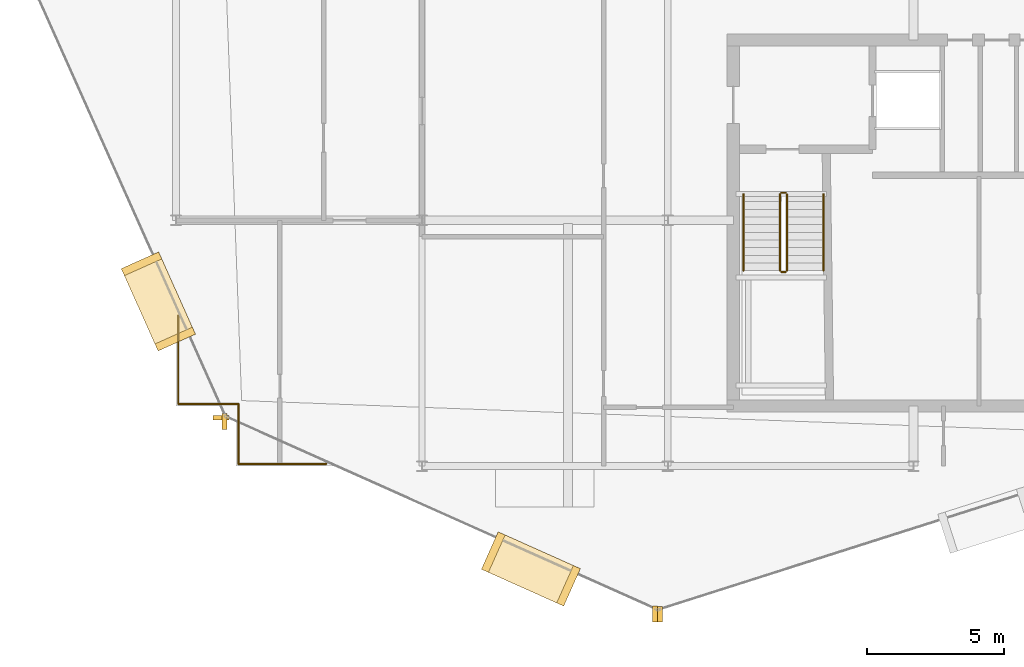
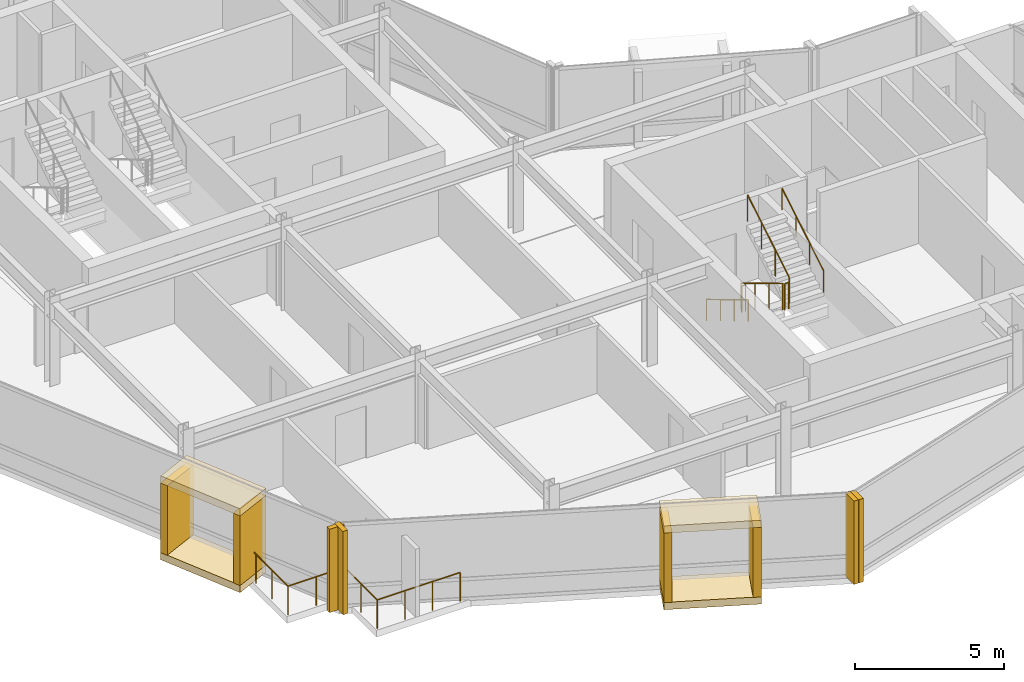
# One storey, part 16 of 19: 12 coverings, 10 railings.
"""IFC4 building model written with IfcOpenShell, lengths in metres."""

from ifc_helpers import new_model, si_unit, direction, frame, origin, origin_2d, place, context, subcontext, project, spatial, rectangle, circle, extrude, material, layer, layer_set, type_object, element, save


model = new_model("IFC4")

# Units and contexts
model_context = context("Model", 3, precision=1e-05, world=origin(), true_north=direction((0.0, 1.0)))
body_context = subcontext(model_context, "Body", "Model", "MODEL_VIEW")
ifc_project = project(units=[si_unit("LENGTHUNIT", "METRE"), si_unit("AREAUNIT", "SQUARE_METRE"), si_unit("VOLUMEUNIT", "CUBIC_METRE"), si_unit("PLANEANGLEUNIT", "RADIAN"), si_unit("MASSUNIT", "GRAM", prefix="KILO")], contexts=[model_context])

# Site, building, storey
site_placement = place(None, origin())
site = spatial("IfcSite", under=ifc_project, at=site_placement, CompositionType="ELEMENT")
building_placement = place(site_placement, origin())
building = spatial("IfcBuilding", under=site, at=building_placement, Name="Solvaryn Broadcast Tower", CompositionType="ELEMENT")
storey_placement = place(building_placement, frame((0.0, 0.0, 274.10009765625)))
storey = spatial("IfcBuildingStorey", under=building, at=storey_placement, Name="L69", CompositionType="ELEMENT", Elevation=274.10009765625)

# Coverings
ifc_material_1 = material(Name="Glazed Architectural Terracotta Rainscreen Cladding", Category="masonry")
ifc_layer_1 = layer(ifc_material_1, 0.280029296875)
ifc_layer_set_1 = layer_set([ifc_layer_1], Name="CV-TC-CLAD")
covering_type_1 = type_object("IfcCoveringType", Name="CV-TC-CLAD", PredefinedType="CLADDING", material=ifc_layer_set_1)
for number, where, z_axis, x_axis, name in (
    (1, (8.35107421875, 15.030029296875, 3.1298828125), (0.0, 0.0, 1.0), (0.408489773781, -0.91276289622, 0.0), "L69 Projecting Stone Window Box Hood 2"),
    (2, (8.35107421875, 15.030029296875, -0.01025390625), (0.0, 0.0, 1.0), (0.408489773781, -0.91276289622, 0.0), "L69 Projecting Stone Window Box Sill 2"),
):
    element("IfcCovering", number, at=place(storey_placement, frame(where, z_axis=z_axis, x_axis=x_axis)), inside=storey, type_object=covering_type_1, Name=name, PredefinedType="CLADDING", context=body_context, shape_type="SweptSolid", body=[
        extrude(rectangle(XDim=3.300048828125, YDim=1.5, at=origin_2d()), origin(), (0.0, 0.0, 1.0), 0.300048828125),
    ])
for number, where, z_axis, x_axis, name in (
    (3, (7.734130859375, 16.408203125, 0.27978515625), (0.0, 0.0, 1.0), (0.408489773781, -0.91276289622, 0.0), "L69 Projecting Stone Window Box Cheek 2-1"),
    (4, (8.9677734375, 13.651611328125, 0.27978515625), (0.0, 0.0, 1.0), (0.408489773781, -0.91276289622, 0.0), "L69 Projecting Stone Window Box Cheek 2-2"),
):
    element("IfcCovering", number, at=place(storey_placement, frame(where, z_axis=z_axis, x_axis=x_axis)), inside=storey, type_object=covering_type_1, Name=name, PredefinedType="CLADDING", context=body_context, shape_type="SweptSolid", body=[
        extrude(rectangle(XDim=0.280029296875, YDim=1.5, at=origin_2d()), origin(), (0.0, 0.0, 1.0), 2.860107421875),
    ])
for number, where, z_axis, x_axis, name in (
    (5, (21.989990234375, 5.236083984375, 3.1298828125), (0.0, 0.0, 1.0), (0.91276289622, -0.408489773781, 0.0), "L69 Projecting Stone Window Box Hood 3"),
    (6, (21.989990234375, 5.236083984375, -0.01025390625), (0.0, 0.0, 1.0), (0.91276289622, -0.408489773781, 0.0), "L69 Projecting Stone Window Box Sill 3"),
):
    element("IfcCovering", number, at=place(storey_placement, frame(where, z_axis=z_axis, x_axis=x_axis)), inside=storey, type_object=covering_type_1, Name=name, PredefinedType="CLADDING", context=body_context, shape_type="SweptSolid", body=[
        extrude(rectangle(XDim=3.300048828125, YDim=1.5, at=origin_2d()), origin(), (0.0, 0.0, 1.0), 0.300048828125),
    ])
for number, where, z_axis, x_axis, name in (
    (7, (20.61181640625, 5.852783203125, 0.27978515625), (0.0, 0.0, 1.0), (0.91276289622, -0.408489773781, 0.0), "L69 Projecting Stone Window Box Cheek 3-1"),
    (8, (23.368408203125, 4.619140625, 0.27978515625), (0.0, 0.0, 1.0), (0.91276289622, -0.408489773781, 0.0), "L69 Projecting Stone Window Box Cheek 3-2"),
):
    element("IfcCovering", number, at=place(storey_placement, frame(where, z_axis=z_axis, x_axis=x_axis)), inside=storey, type_object=covering_type_1, Name=name, PredefinedType="CLADDING", context=body_context, shape_type="SweptSolid", body=[
        extrude(rectangle(XDim=0.280029296875, YDim=1.5, at=origin_2d()), origin(), (0.0, 0.0, 1.0), 2.860107421875),
    ])
ifc_material_2 = material(Name="Extruded Architectural Terracotta Fin", Category="masonry")
ifc_layer_2 = layer(ifc_material_2, 0.179931640625)
ifc_layer_set_2 = layer_set([ifc_layer_2], Name="CV-TC-FIN")
covering_type_2 = type_object("IfcCoveringType", Name="CV-TC-FIN", PredefinedType="USERDEFINED", material=ifc_layer_set_2)
covering_placement = place(storey_placement, frame((10.640380859375, 10.77099609375, 0.0), z_axis=(0.0, 0.0, 1.0), x_axis=(1.0, 0.0, 0.0)))
element("IfcCovering", 9, at=covering_placement, inside=storey, type_object=covering_type_2, Name="L69 Terracotta Vertical Fin FIN-L69-DR2-M01", ObjectType="FIN", PredefinedType="USERDEFINED", context=body_context, shape_type="SweptSolid", body=[
    extrude(rectangle(XDim=0.580078125, YDim=0.179931640625, at=origin_2d()), origin(), (0.0, 0.0, 1.0), 3.419921875),
])
for number, where, z_axis, x_axis, name in (
    (10, (10.77099609375, 10.640380859375, 0.0), (0.0, 0.0, 1.0), (1.0, 0.0, 0.0), "L69 Terracotta Vertical Fin FIN-L69-DR3-M00"),
    (11, (26.53515625, 3.5859375, 0.0), (0.0, 0.0, 1.0), (1.0, 0.0, 0.0), "L69 Terracotta Vertical Fin FIN-L69-DR3-M01"),
    (12, (26.71923828125, 3.575439453125, 0.0), (0.0, 0.0, 1.0), (1.0, 0.0, 0.0), "L69 Terracotta Vertical Fin FIN-L69-DR4-M00"),
):
    element("IfcCovering", number, at=place(storey_placement, frame(where, z_axis=z_axis, x_axis=x_axis)), inside=storey, type_object=covering_type_2, Name=name, ObjectType="FIN", PredefinedType="USERDEFINED", context=body_context, shape_type="SweptSolid", body=[
        extrude(rectangle(XDim=0.179931640625, YDim=0.580078125, at=origin_2d()), origin(), (0.0, 0.0, 1.0), 3.419921875),
    ])

# Railings
ifc_material_3 = material(Name="Stainless Steel and Laminated Glass Guard", Category="steel")
railing_type_1 = type_object("IfcRailingType", Name="RL-SKYG-1200", PredefinedType="BALUSTRADE", material=ifc_material_3)
railing_1_placement = place(storey_placement, frame((9.080078125, 14.5, 0.0)))
element("IfcRailing", 13, at=railing_1_placement, inside=storey, type_object=railing_type_1, Name="L69 Upper SW Corner Balustrade 1", PredefinedType="BALUSTRADE", context=body_context, shape_type="SweptSolid", body=[
    extrude(circle(Radius=0.02392578125, at=origin_2d()), frame((0.0, 0.0, 1.17578125), z_axis=(0.0, -1.0, 0.0), x_axis=(1.0, 0.0, 0.0)), (0.0, 0.0, 1.0), 3.219970703125),
    extrude(circle(Radius=0.02099609375, at=origin_2d()), origin(), (0.0, 0.0, 1.0), 1.15185546875),
    extrude(circle(Radius=0.02099609375, at=origin_2d()), frame((0.0, -1.0732421875, 0.0)), (0.0, 0.0, 1.0), 1.15185546875),
    extrude(circle(Radius=0.02099609375, at=origin_2d()), frame((0.0, -2.146728515625, 0.0)), (0.0, 0.0, 1.0), 1.15185546875),
    extrude(circle(Radius=0.02099609375, at=origin_2d()), frame((0.0, -3.219970703125, 0.0)), (0.0, 0.0, 1.0), 1.15185546875),
])
railing_2_placement = place(storey_placement, frame((9.080078125, 11.280029296875, 0.0)))
element("IfcRailing", 14, at=railing_2_placement, inside=storey, type_object=railing_type_1, Name="L69 Upper SW Corner Balustrade 2", PredefinedType="BALUSTRADE", context=body_context, shape_type="SweptSolid", body=[
    extrude(circle(Radius=0.02392578125, at=origin_2d()), frame((0.0, 0.0, 1.17578125), z_axis=(1.0, 0.0, 0.0), x_axis=(0.0, 1.0, 0.0)), (0.0, 0.0, 1.0), 2.199951171875),
    extrude(circle(Radius=0.02099609375, at=origin_2d()), origin(), (0.0, 0.0, 1.0), 1.15185546875),
    extrude(circle(Radius=0.02099609375, at=origin_2d()), frame((1.10009765625, 0.0, 0.0)), (0.0, 0.0, 1.0), 1.15185546875),
    extrude(circle(Radius=0.02099609375, at=origin_2d()), frame((2.199951171875, 0.0, 0.0)), (0.0, 0.0, 1.0), 1.15185546875),
])
railing_3_placement = place(storey_placement, frame((11.280029296875, 11.280029296875, 0.0)))
element("IfcRailing", 15, at=railing_3_placement, inside=storey, type_object=railing_type_1, Name="L69 Upper SW Corner Balustrade 3", PredefinedType="BALUSTRADE", context=body_context, shape_type="SweptSolid", body=[
    extrude(circle(Radius=0.02392578125, at=origin_2d()), frame((0.0, 0.0, 1.17578125), z_axis=(0.0, -1.0, 0.0), x_axis=(1.0, 0.0, 0.0)), (0.0, 0.0, 1.0), 2.199951171875),
    extrude(circle(Radius=0.02099609375, at=origin_2d()), origin(), (0.0, 0.0, 1.0), 1.15185546875),
    extrude(circle(Radius=0.02099609375, at=origin_2d()), frame((0.0, -1.10009765625, 0.0)), (0.0, 0.0, 1.0), 1.15185546875),
    extrude(circle(Radius=0.02099609375, at=origin_2d()), frame((0.0, -2.199951171875, 0.0)), (0.0, 0.0, 1.0), 1.15185546875),
])
railing_4_placement = place(storey_placement, frame((11.280029296875, 9.080078125, 0.0)))
element("IfcRailing", 16, at=railing_4_placement, inside=storey, type_object=railing_type_1, Name="L69 Upper SW Corner Balustrade 4", PredefinedType="BALUSTRADE", context=body_context, shape_type="SweptSolid", body=[
    extrude(circle(Radius=0.02392578125, at=origin_2d()), frame((0.0, 0.0, 1.17578125), z_axis=(1.0, 0.0, 0.0), x_axis=(0.0, 1.0, 0.0)), (0.0, 0.0, 1.0), 3.219970703125),
    extrude(circle(Radius=0.02099609375, at=origin_2d()), origin(), (0.0, 0.0, 1.0), 1.15185546875),
    extrude(circle(Radius=0.02099609375, at=origin_2d()), frame((1.0732421875, 0.0, 0.0)), (0.0, 0.0, 1.0), 1.15185546875),
    extrude(circle(Radius=0.02099609375, at=origin_2d()), frame((2.146728515625, 0.0, 0.0)), (0.0, 0.0, 1.0), 1.15185546875),
    extrude(circle(Radius=0.02099609375, at=origin_2d()), frame((3.219970703125, 0.0, 0.0)), (0.0, 0.0, 1.0), 1.15185546875),
])
ifc_material_4 = material(Name="Painted Steel Stair Well Guard", Category="steel")
railing_type_2 = type_object("IfcRailingType", Name="RL-STAIR-GUARD", PredefinedType="BALUSTRADE", material=ifc_material_4)
railing_5_placement = place(storey_placement, frame((31.110107421875, 18.9599609375, 0.16796875)))
element("IfcRailing", 17, at=railing_5_placement, inside=storey, type_object=railing_type_2, Name="L69 ST3 stair guard 1", PredefinedType="BALUSTRADE", context=body_context, shape_type="SweptSolid", body=[
    extrude(circle(Radius=0.02392578125, at=origin_2d()), frame((0.0, 0.0, 1.076171875), z_axis=(0.0, -0.857242210791, 0.514913383045), x_axis=(1.0, 0.0, 0.0)), (0.0, 0.0, 1.0), 3.266357421875),
    extrude(circle(Radius=0.02099609375, at=origin_2d()), origin(), (0.0, 0.0, 1.0), 1.052001953125),
    extrude(circle(Radius=0.02099609375, at=origin_2d()), frame((0.0, -0.933349609375, 0.560546875)), (0.0, 0.0, 1.0), 1.052001953125),
    extrude(circle(Radius=0.02099609375, at=origin_2d()), frame((0.0, -1.86669921875, 1.121337890625)), (0.0, 0.0, 1.0), 1.052001953125),
    extrude(circle(Radius=0.02099609375, at=origin_2d()), frame((0.0, -2.800048828125, 1.681884765625)), (0.0, 0.0, 1.0), 1.052001953125),
])
railing_6_placement = place(storey_placement, frame((31.159912109375, 16.110107421875, 1.849853515625)))
element("IfcRailing", 18, at=railing_6_placement, inside=storey, type_object=railing_type_2, Name="L69 ST3 stair guard 2", PredefinedType="BALUSTRADE", context=body_context, shape_type="SweptSolid", body=[
    extrude(circle(Radius=0.02392578125, at=origin_2d()), frame((0.0, 0.0, 1.076171875), z_axis=(1.0, 0.0, 0.0), x_axis=(0.0, 1.0, 0.0)), (0.0, 0.0, 1.0), 0.150146484375),
    extrude(circle(Radius=0.02099609375, at=origin_2d()), origin(), (0.0, 0.0, 1.0), 1.052001953125),
    extrude(circle(Radius=0.02099609375, at=origin_2d()), frame((0.150146484375, 0.0, 0.0)), (0.0, 0.0, 1.0), 1.052001953125),
])
railing_7_placement = place(storey_placement, frame((31.360107421875, 16.159912109375, 2.01806640625)))
element("IfcRailing", 19, at=railing_7_placement, inside=storey, type_object=railing_type_2, Name="L69 ST3 stair guard 3", PredefinedType="BALUSTRADE", context=body_context, shape_type="SweptSolid", body=[
    extrude(circle(Radius=0.02392578125, at=origin_2d()), frame((0.0, 0.0, 1.076171875), z_axis=(0.0, 0.857242210791, 0.514913383045), x_axis=(-1.0, 0.0, 0.0)), (0.0, 0.0, 1.0), 3.266357421875),
    extrude(circle(Radius=0.02099609375, at=origin_2d()), origin(), (0.0, 0.0, 1.0), 1.052001953125),
    extrude(circle(Radius=0.02099609375, at=origin_2d()), frame((0.0, 0.933349609375, 0.560546875)), (0.0, 0.0, 1.0), 1.052001953125),
    extrude(circle(Radius=0.02099609375, at=origin_2d()), frame((0.0, 1.86669921875, 1.121337890625)), (0.0, 0.0, 1.0), 1.052001953125),
    extrude(circle(Radius=0.02099609375, at=origin_2d()), frame((0.0, 2.800048828125, 1.681884765625)), (0.0, 0.0, 1.0), 1.052001953125),
])
railing_8_placement = place(storey_placement, frame((31.159912109375, 19.010009765625, 0.0)))
element("IfcRailing", 20, at=railing_8_placement, inside=storey, type_object=railing_type_2, Name="L69 ST3 stair guard 4", PredefinedType="BALUSTRADE", context=body_context, shape_type="SweptSolid", body=[
    extrude(circle(Radius=0.02392578125, at=origin_2d()), frame((0.0, 0.0, 1.076171875), z_axis=(1.0, 0.0, 0.0), x_axis=(0.0, 1.0, 0.0)), (0.0, 0.0, 1.0), 0.150146484375),
    extrude(circle(Radius=0.02099609375, at=origin_2d()), origin(), (0.0, 0.0, 1.0), 1.052001953125),
    extrude(circle(Radius=0.02099609375, at=origin_2d()), frame((0.150146484375, 0.0, 0.0)), (0.0, 0.0, 1.0), 1.052001953125),
])
ifc_material_5 = material(Name="Brushed Stainless Steel Tubular Handrail", Category="steel")
railing_type_3 = type_object("IfcRailingType", Name="RL-STAIR-HANDRAIL", PredefinedType="HANDRAIL", material=ifc_material_5)
railing_9_placement = place(storey_placement, frame((29.77001953125, 18.9599609375, 0.16796875)))
element("IfcRailing", 21, at=railing_9_placement, inside=storey, type_object=railing_type_3, Name="L69 ST3 stair handrail 1", PredefinedType="HANDRAIL", context=body_context, shape_type="SweptSolid", body=[
    extrude(circle(Radius=0.02392578125, at=origin_2d()), frame((0.0, 0.0, 0.8759765625), z_axis=(0.0, -0.857242210791, 0.514913383045), x_axis=(1.0, 0.0, 0.0)), (0.0, 0.0, 1.0), 3.266357421875),
    extrude(circle(Radius=0.02099609375, at=origin_2d()), origin(), (0.0, 0.0, 1.0), 0.851806640625),
    extrude(circle(Radius=0.02099609375, at=origin_2d()), frame((0.0, -0.933349609375, 0.560546875)), (0.0, 0.0, 1.0), 0.851806640625),
    extrude(circle(Radius=0.02099609375, at=origin_2d()), frame((0.0, -1.86669921875, 1.121337890625)), (0.0, 0.0, 1.0), 0.851806640625),
    extrude(circle(Radius=0.02099609375, at=origin_2d()), frame((0.0, -2.800048828125, 1.681884765625)), (0.0, 0.0, 1.0), 0.851806640625),
])
railing_10_placement = place(storey_placement, frame((32.699951171875, 16.159912109375, 2.01806640625)))
element("IfcRailing", 22, at=railing_10_placement, inside=storey, type_object=railing_type_3, Name="L69 ST3 stair handrail 2", PredefinedType="HANDRAIL", context=body_context, shape_type="SweptSolid", body=[
    extrude(circle(Radius=0.02392578125, at=origin_2d()), frame((0.0, 0.0, 0.8759765625), z_axis=(0.0, 0.857242210791, 0.514913383045), x_axis=(-1.0, 0.0, 0.0)), (0.0, 0.0, 1.0), 3.266357421875),
    extrude(circle(Radius=0.02099609375, at=origin_2d()), origin(), (0.0, 0.0, 1.0), 0.851806640625),
    extrude(circle(Radius=0.02099609375, at=origin_2d()), frame((0.0, 0.933349609375, 0.560546875)), (0.0, 0.0, 1.0), 0.851806640625),
    extrude(circle(Radius=0.02099609375, at=origin_2d()), frame((0.0, 1.86669921875, 1.121337890625)), (0.0, 0.0, 1.0), 0.851806640625),
    extrude(circle(Radius=0.02099609375, at=origin_2d()), frame((0.0, 2.800048828125, 1.681884765625)), (0.0, 0.0, 1.0), 0.851806640625),
])

save(model, "model.ifc")
